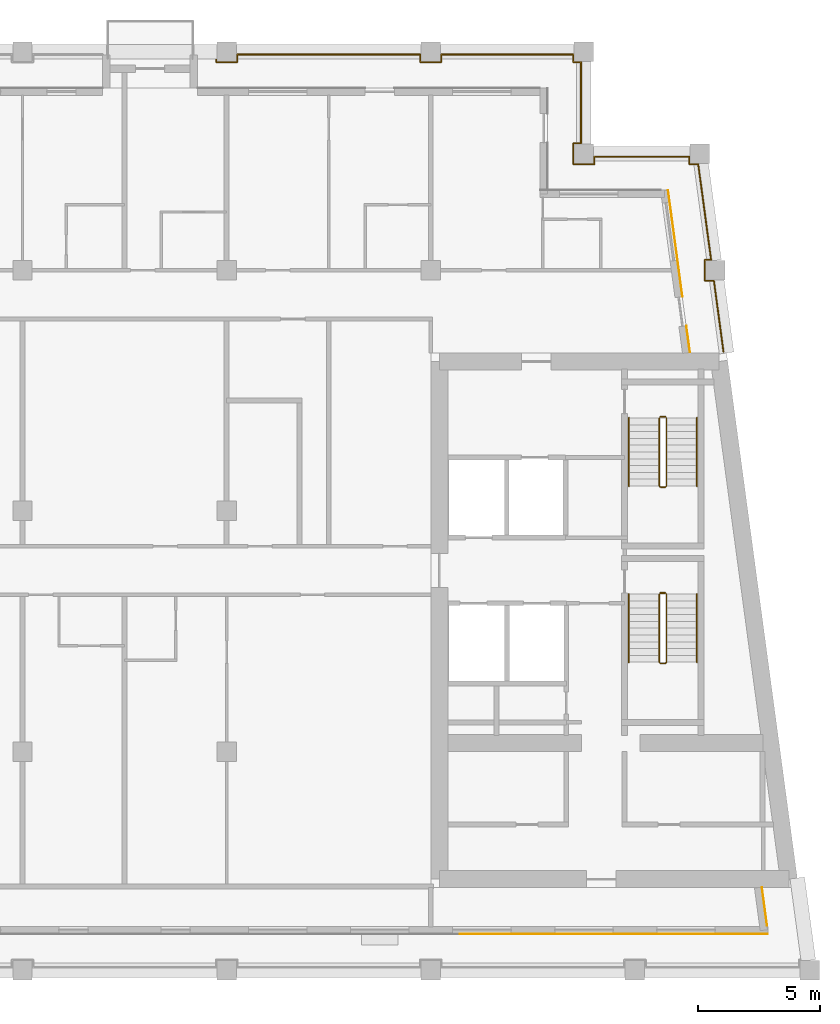
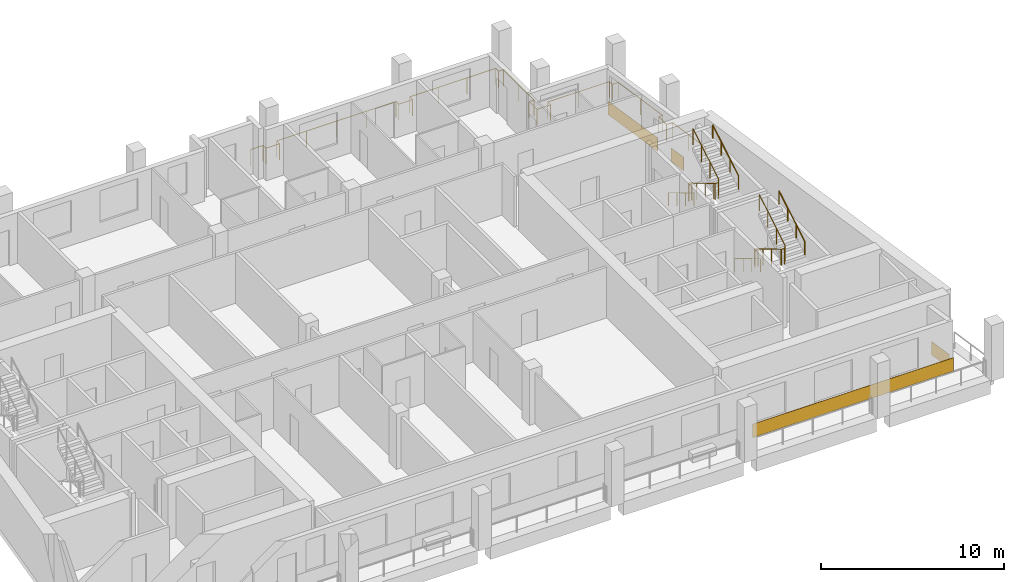
# One storey, part 11 of 13: 9 railings, 4 coverings.
"""IFC4 building model written with IfcOpenShell, lengths in metres."""

from ifc_helpers import new_model, si_unit, direction, frame, origin, origin_2d, place, context, subcontext, project, spatial, rectangle, circle, extrude, material, layer, layer_set, type_object, element, save


model = new_model("IFC4")

# Units and contexts
model_context = context("Model", 3, precision=1e-05, world=origin(), true_north=direction((0.0, 1.0)))
body_context = subcontext(model_context, "Body", "Model", "MODEL_VIEW")
ifc_project = project(units=[si_unit("LENGTHUNIT", "METRE"), si_unit("AREAUNIT", "SQUARE_METRE"), si_unit("VOLUMEUNIT", "CUBIC_METRE"), si_unit("PLANEANGLEUNIT", "RADIAN"), si_unit("MASSUNIT", "GRAM", prefix="KILO")], contexts=[model_context])

# Site, building, storey
site_placement = place(None, origin())
site = spatial("IfcSite", under=ifc_project, at=site_placement, CompositionType="ELEMENT")
building_placement = place(site_placement, origin())
building = spatial("IfcBuilding", under=site, at=building_placement, Name="Candeia Pilgrim Tower and Theatre", CompositionType="ELEMENT")
storey_placement = place(building_placement, frame((0.0, 0.0, 262.699951171875)))
storey = spatial("IfcBuildingStorey", under=building, at=storey_placement, Name="L63", CompositionType="ELEMENT", Elevation=262.699951171875)

# Railing
ifc_material_1 = material(Name="Stainless steel balustrade", Category="steel")
railing_type_1 = type_object("IfcRailingType", Name="G1 loggia guard 1100", PredefinedType="GUARDRAIL", material=ifc_material_1)
railing_1_placement = place(storey_placement, frame((116.39990234375, 144.679931640625, 0.0)))
element("IfcRailing", 1, at=railing_1_placement, inside=storey, type_object=railing_type_1, Name="Guard L63.2", PredefinedType="GUARDRAIL", context=body_context, shape_type="SweptSolid", body=[
    extrude(circle(Radius=0.02392578125, at=origin_2d()), frame((0.0, 0.0, 1.076171875), z_axis=(1.0, 0.0, 0.0), x_axis=(0.0, 1.0, 0.0)), (0.0, 0.0, 1.0), 0.77001953125),
    extrude(circle(Radius=0.02392578125, at=origin_2d()), frame((0.77001953125, 0.0, 1.076171875), z_axis=(0.0, -1.0, 0.0), x_axis=(1.0, 0.0, 0.0)), (0.0, 0.0, 1.0), 0.309814453125),
    extrude(circle(Radius=0.02392578125, at=origin_2d()), frame((0.77001953125, -0.309814453125, 1.076171875), z_axis=(1.0, 0.0, 0.0), x_axis=(0.0, 1.0, 0.0)), (0.0, 0.0, 1.0), 0.860107421875),
    extrude(circle(Radius=0.02392578125, at=origin_2d()), frame((1.630126953125, -0.309814453125, 1.076171875), z_axis=(0.0, 1.0, 0.0), x_axis=(-1.0, 0.0, 0.0)), (0.0, 0.0, 1.0), 0.309814453125),
    extrude(circle(Radius=0.02392578125, at=origin_2d()), frame((1.630126953125, 0.0, 1.076171875), z_axis=(1.0, 0.0, 0.0), x_axis=(0.0, 1.0, 0.0)), (0.0, 0.0, 1.0), 7.5400390625),
    extrude(circle(Radius=0.02392578125, at=origin_2d()), frame((9.170166015625, 0.0, 1.076171875), z_axis=(0.0, -1.0, 0.0), x_axis=(1.0, 0.0, 0.0)), (0.0, 0.0, 1.0), 0.309814453125),
    extrude(circle(Radius=0.02392578125, at=origin_2d()), frame((9.170166015625, -0.309814453125, 1.076171875), z_axis=(1.0, 0.0, 0.0), x_axis=(0.0, 1.0, 0.0)), (0.0, 0.0, 1.0), 0.85986328125),
    extrude(circle(Radius=0.02392578125, at=origin_2d()), frame((10.030029296875, -0.309814453125, 1.076171875), z_axis=(0.0, 1.0, 0.0), x_axis=(-1.0, 0.0, 0.0)), (0.0, 0.0, 1.0), 0.309814453125),
    extrude(circle(Radius=0.02392578125, at=origin_2d()), frame((10.030029296875, 0.0, 1.076171875), z_axis=(1.0, 0.0, 0.0), x_axis=(0.0, 1.0, 0.0)), (0.0, 0.0, 1.0), 5.440185546875),
    extrude(circle(Radius=0.02392578125, at=origin_2d()), frame((15.47021484375, 0.0, 1.076171875), z_axis=(0.0, -1.0, 0.0), x_axis=(1.0, 0.0, 0.0)), (0.0, 0.0, 1.0), 0.309814453125),
    extrude(circle(Radius=0.02392578125, at=origin_2d()), frame((15.47021484375, -0.309814453125, 1.076171875), z_axis=(1.0, 0.0, 0.0), x_axis=(0.0, 1.0, 0.0)), (0.0, 0.0, 1.0), 0.309814453125),
    extrude(circle(Radius=0.02392578125, at=origin_2d()), frame((15.780029296875, -0.309814453125, 1.076171875), z_axis=(0.0, -1.0, 0.0), x_axis=(1.0, 0.0, 0.0)), (0.0, 0.0, 1.0), 3.340087890625),
    extrude(circle(Radius=0.02392578125, at=origin_2d()), frame((15.780029296875, -3.64990234375, 1.076171875), z_axis=(-1.0, 0.0, 0.0), x_axis=(0.0, -1.0, 0.0)), (0.0, 0.0, 1.0), 0.309814453125),
    extrude(circle(Radius=0.02392578125, at=origin_2d()), frame((15.47021484375, -3.64990234375, 1.076171875), z_axis=(0.0, -1.0, 0.0), x_axis=(1.0, 0.0, 0.0)), (0.0, 0.0, 1.0), 0.860107421875),
    extrude(circle(Radius=0.02392578125, at=origin_2d()), frame((15.47021484375, -4.510009765625, 1.076171875), z_axis=(1.0, 0.0, 0.0), x_axis=(0.0, 1.0, 0.0)), (0.0, 0.0, 1.0), 0.85986328125),
    extrude(circle(Radius=0.02392578125, at=origin_2d()), frame((16.330078125, -4.510009765625, 1.076171875), z_axis=(0.0, 1.0, 0.0), x_axis=(-1.0, 0.0, 0.0)), (0.0, 0.0, 1.0), 0.31005859375),
    extrude(circle(Radius=0.02392578125, at=origin_2d()), frame((16.330078125, -4.199951171875, 1.076171875), z_axis=(1.0, 0.0, 0.0), x_axis=(0.0, 1.0, 0.0)), (0.0, 0.0, 1.0), 3.905517578125),
    extrude(circle(Radius=0.02392578125, at=origin_2d()), frame((20.235595703125, -4.199951171875, 1.076171875), z_axis=(0.0, -1.0, 0.0), x_axis=(1.0, 0.0, 0.0)), (0.0, 0.0, 1.0), 0.31005859375),
    extrude(circle(Radius=0.02392578125, at=origin_2d()), frame((20.235595703125, -4.510009765625, 1.076171875), z_axis=(1.0, 0.0, 0.0), x_axis=(0.0, 1.0, 0.0)), (0.0, 0.0, 1.0), 0.36669921875),
    extrude(circle(Radius=0.02392578125, at=origin_2d()), frame((20.602294921875, -4.510009765625, 1.076171875), z_axis=(0.133386492616, -0.991064096609, 0.0), x_axis=(0.991064096609, 0.133386492616, 0.0)), (0.0, 0.0, 1.0), 3.9755859375),
    extrude(circle(Radius=0.02392578125, at=origin_2d()), frame((21.132568359375, -8.449951171875, 1.076171875), z_axis=(-1.0, 0.0, 0.0), x_axis=(0.0, -1.0, 0.0)), (0.0, 0.0, 1.0), 0.2509765625),
    extrude(circle(Radius=0.02392578125, at=origin_2d()), frame((20.881591796875, -8.449951171875, 1.076171875), z_axis=(0.0, -1.0, 0.0), x_axis=(1.0, 0.0, 0.0)), (0.0, 0.0, 1.0), 0.85986328125),
    extrude(circle(Radius=0.02392578125, at=origin_2d()), frame((20.881591796875, -9.309814453125, 1.076171875), z_axis=(1.0, 0.0, 0.0), x_axis=(0.0, 1.0, 0.0)), (0.0, 0.0, 1.0), 0.366943359375),
    extrude(circle(Radius=0.02392578125, at=origin_2d()), frame((21.24853515625, -9.309814453125, 1.076171875), z_axis=(0.133401056725, -0.991062136329, 0.0), x_axis=(0.991062136329, 0.133401056725, 0.0)), (0.0, 0.0, 1.0), 2.946533203125),
    extrude(circle(Radius=0.02099609375, at=origin_2d()), origin(), (0.0, 0.0, 1.0), 1.052001953125),
    extrude(circle(Radius=0.02099609375, at=origin_2d()), frame((0.77001953125, 0.0, 0.0)), (0.0, 0.0, 1.0), 1.052001953125),
    extrude(circle(Radius=0.02099609375, at=origin_2d()), frame((0.77001953125, -0.309814453125, 0.0)), (0.0, 0.0, 1.0), 1.052001953125),
    extrude(circle(Radius=0.02099609375, at=origin_2d()), frame((1.630126953125, -0.309814453125, 0.0)), (0.0, 0.0, 1.0), 1.052001953125),
    extrude(circle(Radius=0.02099609375, at=origin_2d()), frame((1.630126953125, 0.0, 0.0)), (0.0, 0.0, 1.0), 1.052001953125),
    extrude(circle(Radius=0.02099609375, at=origin_2d()), frame((3.51513671875, 0.0, 0.0)), (0.0, 0.0, 1.0), 1.052001953125),
    extrude(circle(Radius=0.02099609375, at=origin_2d()), frame((5.400146484375, 0.0, 0.0)), (0.0, 0.0, 1.0), 1.052001953125),
    extrude(circle(Radius=0.02099609375, at=origin_2d()), frame((7.28515625, 0.0, 0.0)), (0.0, 0.0, 1.0), 1.052001953125),
    extrude(circle(Radius=0.02099609375, at=origin_2d()), frame((9.170166015625, 0.0, 0.0)), (0.0, 0.0, 1.0), 1.052001953125),
    extrude(circle(Radius=0.02099609375, at=origin_2d()), frame((9.170166015625, -0.309814453125, 0.0)), (0.0, 0.0, 1.0), 1.052001953125),
    extrude(circle(Radius=0.02099609375, at=origin_2d()), frame((10.030029296875, -0.309814453125, 0.0)), (0.0, 0.0, 1.0), 1.052001953125),
    extrude(circle(Radius=0.02099609375, at=origin_2d()), frame((10.030029296875, 0.0, 0.0)), (0.0, 0.0, 1.0), 1.052001953125),
    extrude(circle(Radius=0.02099609375, at=origin_2d()), frame((11.843505859375, 0.0, 0.0)), (0.0, 0.0, 1.0), 1.052001953125),
    extrude(circle(Radius=0.02099609375, at=origin_2d()), frame((13.65673828125, 0.0, 0.0)), (0.0, 0.0, 1.0), 1.052001953125),
    extrude(circle(Radius=0.02099609375, at=origin_2d()), frame((15.47021484375, 0.0, 0.0)), (0.0, 0.0, 1.0), 1.052001953125),
    extrude(circle(Radius=0.02099609375, at=origin_2d()), frame((15.47021484375, -0.309814453125, 0.0)), (0.0, 0.0, 1.0), 1.052001953125),
    extrude(circle(Radius=0.02099609375, at=origin_2d()), frame((15.780029296875, -0.309814453125, 0.0)), (0.0, 0.0, 1.0), 1.052001953125),
    extrude(circle(Radius=0.02099609375, at=origin_2d()), frame((15.780029296875, -1.97998046875, 0.0)), (0.0, 0.0, 1.0), 1.052001953125),
    extrude(circle(Radius=0.02099609375, at=origin_2d()), frame((15.780029296875, -3.64990234375, 0.0)), (0.0, 0.0, 1.0), 1.052001953125),
    extrude(circle(Radius=0.02099609375, at=origin_2d()), frame((15.47021484375, -3.64990234375, 0.0)), (0.0, 0.0, 1.0), 1.052001953125),
    extrude(circle(Radius=0.02099609375, at=origin_2d()), frame((15.47021484375, -4.510009765625, 0.0)), (0.0, 0.0, 1.0), 1.052001953125),
    extrude(circle(Radius=0.02099609375, at=origin_2d()), frame((16.330078125, -4.510009765625, 0.0)), (0.0, 0.0, 1.0), 1.052001953125),
    extrude(circle(Radius=0.02099609375, at=origin_2d()), frame((16.330078125, -4.199951171875, 0.0)), (0.0, 0.0, 1.0), 1.052001953125),
    extrude(circle(Radius=0.02099609375, at=origin_2d()), frame((18.28271484375, -4.199951171875, 0.0)), (0.0, 0.0, 1.0), 1.052001953125),
    extrude(circle(Radius=0.02099609375, at=origin_2d()), frame((20.235595703125, -4.199951171875, 0.0)), (0.0, 0.0, 1.0), 1.052001953125),
    extrude(circle(Radius=0.02099609375, at=origin_2d()), frame((20.235595703125, -4.510009765625, 0.0)), (0.0, 0.0, 1.0), 1.052001953125),
    extrude(circle(Radius=0.02099609375, at=origin_2d()), frame((20.602294921875, -4.510009765625, 0.0)), (0.0, 0.0, 1.0), 1.052001953125),
    extrude(circle(Radius=0.02099609375, at=origin_2d()), frame((20.867431640625, -6.47998046875, 0.0)), (0.0, 0.0, 1.0), 1.052001953125),
    extrude(circle(Radius=0.02099609375, at=origin_2d()), frame((21.132568359375, -8.449951171875, 0.0)), (0.0, 0.0, 1.0), 1.052001953125),
    extrude(circle(Radius=0.02099609375, at=origin_2d()), frame((20.881591796875, -8.449951171875, 0.0)), (0.0, 0.0, 1.0), 1.052001953125),
    extrude(circle(Radius=0.02099609375, at=origin_2d()), frame((20.881591796875, -9.309814453125, 0.0)), (0.0, 0.0, 1.0), 1.052001953125),
    extrude(circle(Radius=0.02099609375, at=origin_2d()), frame((21.24853515625, -9.309814453125, 0.0)), (0.0, 0.0, 1.0), 1.052001953125),
    extrude(circle(Radius=0.02099609375, at=origin_2d()), frame((21.445068359375, -10.77001953125, 0.0)), (0.0, 0.0, 1.0), 1.052001953125),
    extrude(circle(Radius=0.02099609375, at=origin_2d()), frame((21.6416015625, -12.22998046875, 0.0)), (0.0, 0.0, 1.0), 1.052001953125),
])

# Coverings
ifc_material_2 = material(Name="Glazed ceramic tile bottle green")
ifc_layer_1 = layer(ifc_material_2, 0.02001953125)
ifc_layer_set_1 = layer_set([ifc_layer_1], Name="Glazed ceramic tile bottle green")
covering_type_1 = type_object("IfcCoveringType", Name="Glazed ceramic tile bottle green", PredefinedType="CLADDING", material=ifc_layer_set_1)
covering_1_placement = place(storey_placement, frame((133.53662109375, 108.489990234375, 0.0), z_axis=(0.0, 0.0, 1.0), x_axis=(1.0, 0.0, 0.0)))
element("IfcCovering", 2, at=covering_1_placement, inside=storey, type_object=covering_type_1, Name="Tile cladding bottle green L63", PredefinedType="CLADDING", context=body_context, shape_type="SweptSolid", body=[
    extrude(rectangle(XDim=12.673095703125, YDim=0.02001953125, at=origin_2d()), origin(), (0.0, 0.0, 1.0), 0.89990234375),
])
covering_2_placement = place(storey_placement, frame((139.73095703125, 109.630615234375, 0.0), z_axis=(0.0, 0.0, 1.0), x_axis=(-0.133412012145, 0.991060661622, 0.0)))
element("IfcCovering", 3, at=covering_2_placement, inside=storey, type_object=covering_type_1, Name="Tile cladding bottle green L63", PredefinedType="CLADDING", context=body_context, shape_type="SweptSolid", body=[
    extrude(rectangle(XDim=1.595703125, YDim=0.02001953125, at=origin_2d()), origin(), (0.0, 0.0, 1.0), 0.89990234375),
])
ifc_material_3 = material(Name="Glazed ceramic tile rust")
ifc_layer_2 = layer(ifc_material_3, 0.02001953125)
ifc_layer_set_2 = layer_set([ifc_layer_2], Name="Glazed ceramic tile rust")
covering_type_2 = type_object("IfcCoveringType", Name="Glazed ceramic tile rust", PredefinedType="CLADDING", material=ifc_layer_set_2)
covering_3_placement = place(storey_placement, frame((136.588623046875, 132.97412109375, 0.0), z_axis=(0.0, 0.0, 1.0), x_axis=(-0.133412012145, 0.991060661622, 0.0)))
element("IfcCovering", 4, at=covering_3_placement, inside=storey, type_object=covering_type_2, Name="Tile cladding rust L63", PredefinedType="CLADDING", context=body_context, shape_type="SweptSolid", body=[
    extrude(rectangle(XDim=1.115234375, YDim=0.02001953125, at=origin_2d()), origin(), (0.0, 0.0, 1.0), 0.89990234375),
])
covering_4_placement = place(storey_placement, frame((136.058837890625, 136.90869140625, 0.0), z_axis=(0.0, 0.0, 1.0), x_axis=(-0.133412012145, 0.991060661622, 0.0)))
element("IfcCovering", 5, at=covering_4_placement, inside=storey, type_object=covering_type_2, Name="Tile cladding rust L63", PredefinedType="CLADDING", context=body_context, shape_type="SweptSolid", body=[
    extrude(rectangle(XDim=4.4248046875, YDim=0.02001953125, at=origin_2d()), origin(), (0.0, 0.0, 1.0), 0.89990234375),
])

# Railings
railing_type_2 = type_object("IfcRailingType", Name="RL-GUARD-1100", PredefinedType="GUARDRAIL", material=ifc_material_1)
railing_2_placement = place(storey_placement, frame((135.39794921875, 122.47509765625, 0.168212890625)))
element("IfcRailing", 6, at=railing_2_placement, inside=storey, type_object=railing_type_2, Name="L63 ST3 stair guard 1", PredefinedType="GUARDRAIL", context=body_context, shape_type="SweptSolid", body=[
    extrude(circle(Radius=0.02392578125, at=origin_2d()), frame((0.0, 0.0, 1.076171875), z_axis=(0.0, -0.857242210791, 0.514913383045), x_axis=(1.0, 0.0, 0.0)), (0.0, 0.0, 1.0), 3.266357421875),
    extrude(circle(Radius=0.02392578125, at=origin_2d()), frame((0.0, -2.800048828125, 2.7578125), z_axis=(0.707106781187, -0.707106781187, 0.0), x_axis=(0.707106781187, 0.707106781187, 0.0)), (0.0, 0.0, 1.0), 0.07080078125),
    extrude(circle(Radius=0.02392578125, at=origin_2d()), frame((0.050048828125, -2.85009765625, 2.7578125), z_axis=(1.0, 0.0, 0.0), x_axis=(0.0, 1.0, 0.0)), (0.0, 0.0, 1.0), 0.199951171875),
    extrude(circle(Radius=0.02392578125, at=origin_2d()), frame((0.25, -2.85009765625, 2.7578125), z_axis=(0.274243871929, 0.274243871929, 0.92172696468), x_axis=(-0.707106781187, 0.707106781187, 0.0)), (0.0, 0.0, 1.0), 0.1826171875),
    extrude(circle(Radius=0.02392578125, at=origin_2d()), frame((0.300048828125, -2.800048828125, 2.92626953125), z_axis=(0.0, 0.857275202839, 0.514858452973), x_axis=(-1.0, 0.0, 0.0)), (0.0, 0.0, 1.0), 3.26611328125),
    extrude(circle(Radius=0.02099609375, at=origin_2d()), origin(), (0.0, 0.0, 1.0), 1.052001953125),
    extrude(circle(Radius=0.02099609375, at=origin_2d()), frame((0.0, -0.933349609375, 0.560546875)), (0.0, 0.0, 1.0), 1.052001953125),
    extrude(circle(Radius=0.02099609375, at=origin_2d()), frame((0.0, -1.86669921875, 1.121337890625)), (0.0, 0.0, 1.0), 1.052001953125),
    extrude(circle(Radius=0.02099609375, at=origin_2d()), frame((0.0, -2.800048828125, 1.681884765625)), (0.0, 0.0, 1.0), 1.052001953125),
    extrude(circle(Radius=0.02099609375, at=origin_2d()), frame((0.050048828125, -2.85009765625, 1.681884765625)), (0.0, 0.0, 1.0), 1.052001953125),
    extrude(circle(Radius=0.02099609375, at=origin_2d()), frame((0.25, -2.85009765625, 1.681884765625)), (0.0, 0.0, 1.0), 1.052001953125),
    extrude(circle(Radius=0.02099609375, at=origin_2d()), frame((0.300048828125, -2.800048828125, 1.85009765625)), (0.0, 0.0, 1.0), 1.052001953125),
    extrude(circle(Radius=0.02099609375, at=origin_2d()), frame((0.300048828125, -1.86669921875, 2.41064453125)), (0.0, 0.0, 1.0), 1.052001953125),
    extrude(circle(Radius=0.02099609375, at=origin_2d()), frame((0.300048828125, -0.933349609375, 2.97119140625)), (0.0, 0.0, 1.0), 1.052001953125),
    extrude(circle(Radius=0.02099609375, at=origin_2d()), frame((0.300048828125, 0.0, 3.53173828125)), (0.0, 0.0, 1.0), 1.052001953125),
])
railing_3_placement = place(storey_placement, frame((135.447998046875, 122.52490234375, 0.0)))
element("IfcRailing", 7, at=railing_3_placement, inside=storey, type_object=railing_type_2, Name="L63 ST3 stair guard 2", PredefinedType="GUARDRAIL", context=body_context, shape_type="SweptSolid", body=[
    extrude(circle(Radius=0.02392578125, at=origin_2d()), frame((0.0, 0.0, 1.076171875), z_axis=(1.0, 0.0, 0.0), x_axis=(0.0, 1.0, 0.0)), (0.0, 0.0, 1.0), 0.199951171875),
    extrude(circle(Radius=0.02099609375, at=origin_2d()), origin(), (0.0, 0.0, 1.0), 1.052001953125),
    extrude(circle(Radius=0.02099609375, at=origin_2d()), frame((0.199951171875, 0.0, 0.0)), (0.0, 0.0, 1.0), 1.052001953125),
])
railing_4_placement = place(storey_placement, frame((135.39794921875, 129.72509765625, 0.168212890625)))
element("IfcRailing", 8, at=railing_4_placement, inside=storey, type_object=railing_type_2, Name="L63 ST4 stair guard 1", PredefinedType="GUARDRAIL", context=body_context, shape_type="SweptSolid", body=[
    extrude(circle(Radius=0.02392578125, at=origin_2d()), frame((0.0, 0.0, 1.076171875), z_axis=(0.0, -0.857242210791, 0.514913383045), x_axis=(1.0, 0.0, 0.0)), (0.0, 0.0, 1.0), 3.266357421875),
    extrude(circle(Radius=0.02392578125, at=origin_2d()), frame((0.0, -2.800048828125, 2.7578125), z_axis=(0.707106781187, -0.707106781187, 0.0), x_axis=(0.707106781187, 0.707106781187, 0.0)), (0.0, 0.0, 1.0), 0.07080078125),
    extrude(circle(Radius=0.02392578125, at=origin_2d()), frame((0.050048828125, -2.85009765625, 2.7578125), z_axis=(1.0, 0.0, 0.0), x_axis=(0.0, 1.0, 0.0)), (0.0, 0.0, 1.0), 0.199951171875),
    extrude(circle(Radius=0.02392578125, at=origin_2d()), frame((0.25, -2.85009765625, 2.7578125), z_axis=(0.274243871929, 0.274243871929, 0.92172696468), x_axis=(-0.707106781187, 0.707106781187, 0.0)), (0.0, 0.0, 1.0), 0.1826171875),
    extrude(circle(Radius=0.02392578125, at=origin_2d()), frame((0.300048828125, -2.800048828125, 2.92626953125), z_axis=(0.0, 0.857275202839, 0.514858452973), x_axis=(-1.0, 0.0, 0.0)), (0.0, 0.0, 1.0), 3.26611328125),
    extrude(circle(Radius=0.02099609375, at=origin_2d()), origin(), (0.0, 0.0, 1.0), 1.052001953125),
    extrude(circle(Radius=0.02099609375, at=origin_2d()), frame((0.0, -0.933349609375, 0.560546875)), (0.0, 0.0, 1.0), 1.052001953125),
    extrude(circle(Radius=0.02099609375, at=origin_2d()), frame((0.0, -1.86669921875, 1.121337890625)), (0.0, 0.0, 1.0), 1.052001953125),
    extrude(circle(Radius=0.02099609375, at=origin_2d()), frame((0.0, -2.800048828125, 1.681884765625)), (0.0, 0.0, 1.0), 1.052001953125),
    extrude(circle(Radius=0.02099609375, at=origin_2d()), frame((0.050048828125, -2.85009765625, 1.681884765625)), (0.0, 0.0, 1.0), 1.052001953125),
    extrude(circle(Radius=0.02099609375, at=origin_2d()), frame((0.25, -2.85009765625, 1.681884765625)), (0.0, 0.0, 1.0), 1.052001953125),
    extrude(circle(Radius=0.02099609375, at=origin_2d()), frame((0.300048828125, -2.800048828125, 1.85009765625)), (0.0, 0.0, 1.0), 1.052001953125),
    extrude(circle(Radius=0.02099609375, at=origin_2d()), frame((0.300048828125, -1.86669921875, 2.41064453125)), (0.0, 0.0, 1.0), 1.052001953125),
    extrude(circle(Radius=0.02099609375, at=origin_2d()), frame((0.300048828125, -0.933349609375, 2.97119140625)), (0.0, 0.0, 1.0), 1.052001953125),
    extrude(circle(Radius=0.02099609375, at=origin_2d()), frame((0.300048828125, 0.0, 3.53173828125)), (0.0, 0.0, 1.0), 1.052001953125),
])
railing_5_placement = place(storey_placement, frame((135.447998046875, 129.77490234375, 0.0)))
element("IfcRailing", 9, at=railing_5_placement, inside=storey, type_object=railing_type_2, Name="L63 ST4 stair guard 2", PredefinedType="GUARDRAIL", context=body_context, shape_type="SweptSolid", body=[
    extrude(circle(Radius=0.02392578125, at=origin_2d()), frame((0.0, 0.0, 1.076171875), z_axis=(1.0, 0.0, 0.0), x_axis=(0.0, 1.0, 0.0)), (0.0, 0.0, 1.0), 0.199951171875),
    extrude(circle(Radius=0.02099609375, at=origin_2d()), origin(), (0.0, 0.0, 1.0), 1.052001953125),
    extrude(circle(Radius=0.02099609375, at=origin_2d()), frame((0.199951171875, 0.0, 0.0)), (0.0, 0.0, 1.0), 1.052001953125),
])
ifc_material_4 = material(Name="Stainless steel handrail", Category="steel")
railing_type_3 = type_object("IfcRailingType", Name="RL-HANDRAIL-900", PredefinedType="HANDRAIL", material=ifc_material_4)
railing_6_placement = place(storey_placement, frame((134.14794921875, 122.47509765625, 0.168212890625)))
element("IfcRailing", 10, at=railing_6_placement, inside=storey, type_object=railing_type_3, Name="L63 ST3 stair handrail 1", PredefinedType="HANDRAIL", context=body_context, shape_type="SweptSolid", body=[
    extrude(circle(Radius=0.02392578125, at=origin_2d()), frame((0.0, 0.0, 0.8759765625), z_axis=(0.0, -0.857242210791, 0.514913383045), x_axis=(1.0, 0.0, 0.0)), (0.0, 0.0, 1.0), 3.266357421875),
    extrude(circle(Radius=0.02099609375, at=origin_2d()), origin(), (0.0, 0.0, 1.0), 0.851806640625),
    extrude(circle(Radius=0.02099609375, at=origin_2d()), frame((0.0, -0.933349609375, 0.560546875)), (0.0, 0.0, 1.0), 0.851806640625),
    extrude(circle(Radius=0.02099609375, at=origin_2d()), frame((0.0, -1.86669921875, 1.121337890625)), (0.0, 0.0, 1.0), 0.851806640625),
    extrude(circle(Radius=0.02099609375, at=origin_2d()), frame((0.0, -2.800048828125, 1.681884765625)), (0.0, 0.0, 1.0), 0.851806640625),
])
railing_7_placement = place(storey_placement, frame((136.947998046875, 119.675048828125, 2.018310546875)))
element("IfcRailing", 11, at=railing_7_placement, inside=storey, type_object=railing_type_3, Name="L63 ST3 stair handrail 2", PredefinedType="HANDRAIL", context=body_context, shape_type="SweptSolid", body=[
    extrude(circle(Radius=0.02392578125, at=origin_2d()), frame((0.0, 0.0, 0.8759765625), z_axis=(0.0, 0.857275202839, 0.514858452973), x_axis=(-1.0, 0.0, 0.0)), (0.0, 0.0, 1.0), 3.26611328125),
    extrude(circle(Radius=0.02099609375, at=origin_2d()), origin(), (0.0, 0.0, 1.0), 0.851806640625),
    extrude(circle(Radius=0.02099609375, at=origin_2d()), frame((0.0, 0.933349609375, 0.560546875)), (0.0, 0.0, 1.0), 0.851806640625),
    extrude(circle(Radius=0.02099609375, at=origin_2d()), frame((0.0, 1.86669921875, 1.12109375)), (0.0, 0.0, 1.0), 0.851806640625),
    extrude(circle(Radius=0.02099609375, at=origin_2d()), frame((0.0, 2.800048828125, 1.681640625)), (0.0, 0.0, 1.0), 0.851806640625),
])
railing_8_placement = place(storey_placement, frame((134.14794921875, 129.72509765625, 0.168212890625)))
element("IfcRailing", 12, at=railing_8_placement, inside=storey, type_object=railing_type_3, Name="L63 ST4 stair handrail 1", PredefinedType="HANDRAIL", context=body_context, shape_type="SweptSolid", body=[
    extrude(circle(Radius=0.02392578125, at=origin_2d()), frame((0.0, 0.0, 0.8759765625), z_axis=(0.0, -0.857242210791, 0.514913383045), x_axis=(1.0, 0.0, 0.0)), (0.0, 0.0, 1.0), 3.266357421875),
    extrude(circle(Radius=0.02099609375, at=origin_2d()), origin(), (0.0, 0.0, 1.0), 0.851806640625),
    extrude(circle(Radius=0.02099609375, at=origin_2d()), frame((0.0, -0.933349609375, 0.560546875)), (0.0, 0.0, 1.0), 0.851806640625),
    extrude(circle(Radius=0.02099609375, at=origin_2d()), frame((0.0, -1.86669921875, 1.121337890625)), (0.0, 0.0, 1.0), 0.851806640625),
    extrude(circle(Radius=0.02099609375, at=origin_2d()), frame((0.0, -2.800048828125, 1.681884765625)), (0.0, 0.0, 1.0), 0.851806640625),
])
railing_9_placement = place(storey_placement, frame((136.947998046875, 126.925048828125, 2.018310546875)))
element("IfcRailing", 13, at=railing_9_placement, inside=storey, type_object=railing_type_3, Name="L63 ST4 stair handrail 2", PredefinedType="HANDRAIL", context=body_context, shape_type="SweptSolid", body=[
    extrude(circle(Radius=0.02392578125, at=origin_2d()), frame((0.0, 0.0, 0.8759765625), z_axis=(0.0, 0.857275202839, 0.514858452973), x_axis=(-1.0, 0.0, 0.0)), (0.0, 0.0, 1.0), 3.26611328125),
    extrude(circle(Radius=0.02099609375, at=origin_2d()), origin(), (0.0, 0.0, 1.0), 0.851806640625),
    extrude(circle(Radius=0.02099609375, at=origin_2d()), frame((0.0, 0.933349609375, 0.560546875)), (0.0, 0.0, 1.0), 0.851806640625),
    extrude(circle(Radius=0.02099609375, at=origin_2d()), frame((0.0, 1.86669921875, 1.12109375)), (0.0, 0.0, 1.0), 0.851806640625),
    extrude(circle(Radius=0.02099609375, at=origin_2d()), frame((0.0, 2.800048828125, 1.681640625)), (0.0, 0.0, 1.0), 0.851806640625),
])

save(model, "model.ifc")
